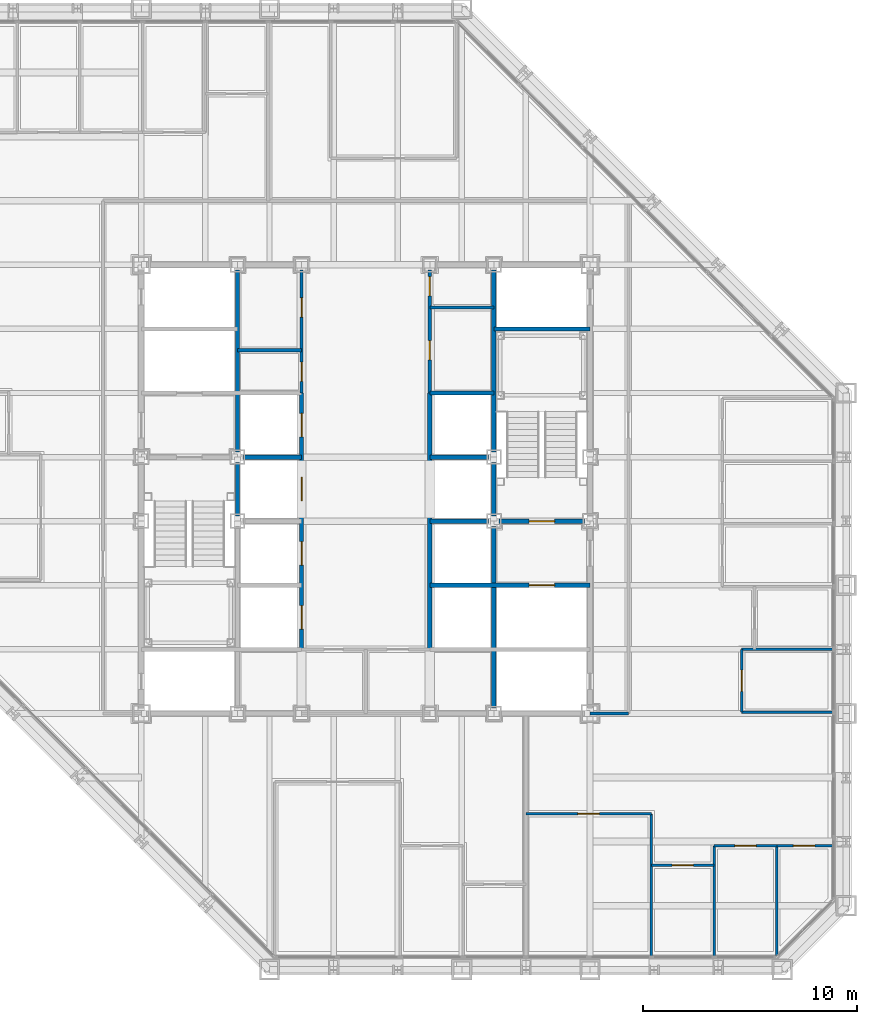
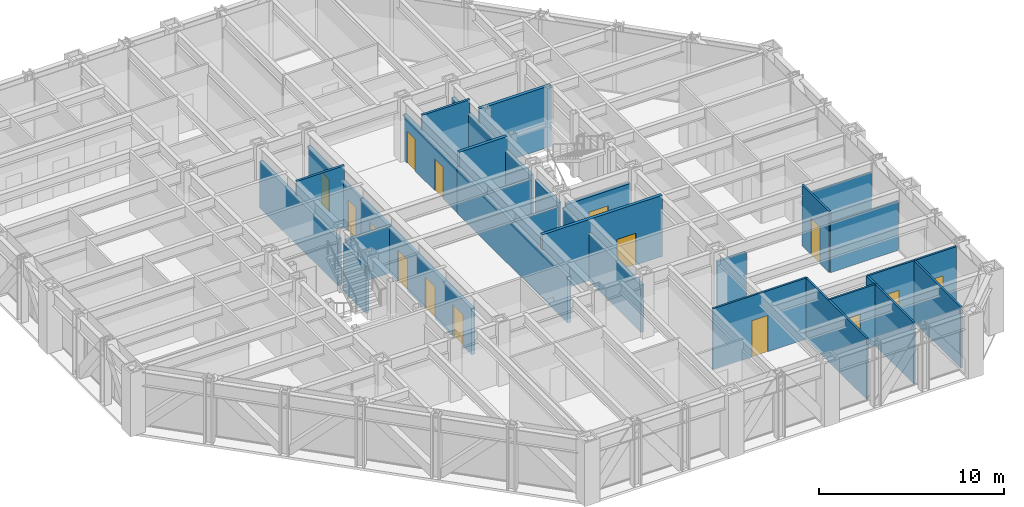
# One storey, part 11 of 16: 29 walls, 15 doors, 15 openings.
"""IFC4 building model written with IfcOpenShell, lengths in metres."""

from ifc_helpers import new_model, si_unit, direction, frame, frame_2d, origin, place, context, subcontext, project, spatial, rectangle, extrude, material, layer, layer_set, type_object, element, fill, save


model = new_model("IFC4")

# Units and contexts
model_context = context("Model", 3, precision=1e-05, world=origin(), true_north=direction((0.0, 1.0)))
body_context = subcontext(model_context, "Body", "Model", "MODEL_VIEW")
ifc_project = project(units=[si_unit("LENGTHUNIT", "METRE"), si_unit("AREAUNIT", "SQUARE_METRE"), si_unit("VOLUMEUNIT", "CUBIC_METRE"), si_unit("PLANEANGLEUNIT", "RADIAN"), si_unit("MASSUNIT", "GRAM", prefix="KILO")], contexts=[model_context])

# Site, building, storey
site_placement = place(None, origin())
site = spatial("IfcSite", under=ifc_project, at=site_placement, CompositionType="ELEMENT")
building_placement = place(site_placement, origin())
building = spatial("IfcBuilding", under=site, at=building_placement, Name="Chuquiago Exchange Tower", CompositionType="ELEMENT")
storey_placement = place(building_placement, frame((0.0, 0.0, 127.800048828125)))
storey = spatial("IfcBuildingStorey", under=building, at=storey_placement, Name="L27", CompositionType="ELEMENT", Elevation=127.800048828125)

# Walls
ifc_material_1 = material(Name="Gypsum board on steel studs, acoustic insulation", Category="steel")
ifc_layer_1 = layer(ifc_material_1, 0.14990234375)
ifc_layer_set_1 = layer_set([ifc_layer_1], Name="W11 corridor wall 150")
wall_type_1 = type_object("IfcWallType", Name="W11 corridor wall 150", PredefinedType="PARTITIONING", material=ifc_layer_set_1)
wall_1_placement = place(storey_placement, frame((33.0, 12.0, 0.0), z_axis=(0.0, 0.0, 1.0), x_axis=(1.0, 0.0, 0.0)))
element("IfcWall", 1, at=wall_1_placement, inside=storey, type_object=wall_type_1, Name="PW-L27-CES", PredefinedType="PARTITIONING", context=body_context, shape_type="SweptSolid", body=[
    extrude(rectangle(XDim=1.800048828125, YDim=0.14990234375, at=frame_2d((0.89990234375, 0.0))), origin(), (0.0, 0.0, 1.0), 3.270263671875),
])
ifc_material_2 = material(Name="Concrete masonry, fully grouted", Category="masonry")
ifc_layer_2 = layer(ifc_material_2, 0.199951171875)
ifc_layer_set_2 = layer_set([ifc_layer_2], Name="W2 shaft wall 200")
wall_type_2 = type_object("IfcWallType", Name="W2 shaft wall 200", PredefinedType="SOLIDWALL", material=ifc_layer_set_2)
for number, where, z_axis, x_axis, name in (
    (2, (16.75, 24.0, 0.0), (0.0, 0.0, 1.0), (1.0, 0.0, 0.0), "CW-L27-05-1"),
    (3, (25.5, 24.0, 0.0), (0.0, 0.0, 1.0), (1.0, 0.0, 0.0), "CW-L27-06-0"),
):
    element("IfcWall", number, at=place(storey_placement, frame(where, z_axis=z_axis, x_axis=x_axis)), inside=storey, type_object=wall_type_2, Name=name, PredefinedType="SOLIDWALL", context=body_context, shape_type="SweptSolid", body=[
        extrude(rectangle(XDim=2.75, YDim=0.199951171875, at=frame_2d((1.375, 0.0))), origin(), (0.0, 0.0, 1.0), 3.08984375),
    ])
wall_2_placement = place(storey_placement, frame((25.5, 27.0, 0.0), z_axis=(0.0, 0.0, 1.0), x_axis=(1.0, 0.0, 0.0)))
element("IfcWall", 4, at=wall_2_placement, inside=storey, type_object=wall_type_2, Name="CW-L27-08-0", PredefinedType="SOLIDWALL", context=body_context, shape_type="SweptSolid", body=[
    extrude(rectangle(XDim=3.0, YDim=0.199951171875, at=frame_2d((1.5, 0.0))), origin(), (0.0, 0.0, 1.0), 4.0400390625),
])
wall_3_placement = place(storey_placement, frame((28.5, 30.0, 0.0), z_axis=(0.0, 0.0, 1.0), x_axis=(1.0, 0.0, 0.0)))
element("IfcWall", 5, at=wall_3_placement, inside=storey, type_object=wall_type_2, Name="CW-L27-10-0", PredefinedType="SOLIDWALL", context=body_context, shape_type="SweptSolid", body=[
    extrude(rectangle(XDim=4.5, YDim=0.199951171875, at=frame_2d((2.25, 0.0))), origin(), (0.0, 0.0, 1.0), 4.0400390625),
])
wall_4_placement = place(storey_placement, frame((16.5, 21.25, 0.0), z_axis=(0.0, 0.0, 1.0), x_axis=(0.0, 1.0, 0.0)))
element("IfcWall", 6, at=wall_4_placement, inside=storey, type_object=wall_type_2, Name="CW-L27-13-1", PredefinedType="SOLIDWALL", context=body_context, shape_type="SweptSolid", body=[
    extrude(rectangle(XDim=2.5, YDim=0.199951171875, at=frame_2d((1.25, 0.0))), origin(), (0.0, 0.0, 1.0), 3.11279296875),
])
wall_5_placement = place(storey_placement, frame((16.5, 24.25, 0.0), z_axis=(0.0, 0.0, 1.0), x_axis=(0.0, 1.0, 0.0)))
element("IfcWall", 7, at=wall_5_placement, inside=storey, type_object=wall_type_2, Name="CW-L27-13-2", PredefinedType="SOLIDWALL", context=body_context, shape_type="SweptSolid", body=[
    extrude(rectangle(XDim=8.5, YDim=0.199951171875, at=frame_2d((4.25, 0.0))), origin(), (0.0, 0.0, 1.0), 3.11279296875),
])

# Wall, opening, door
wall_6_placement = place(storey_placement, frame((25.5, 18.0, 0.0), z_axis=(0.0, 0.0, 1.0), x_axis=(1.0, 0.0, 0.0)))
wall_6 = element("IfcWall", 8, at=wall_6_placement, inside=storey, type_object=wall_type_2, Name="CW-L27-15-0", PredefinedType="SOLIDWALL", context=body_context, shape_type="SweptSolid", body=[
    extrude(rectangle(XDim=7.5, YDim=0.199951171875, at=frame_2d((3.75, 0.0))), origin(), (0.0, 0.0, 1.0), 4.0400390625),
])
opening_1_placement = place(wall_6_placement, frame((4.64990234375, 0.0, 0.0)))
opening_1 = element("IfcOpeningElement", 9, at=opening_1_placement, cuts=wall_6, Name="Opening L27-006", PredefinedType="OPENING", context=body_context, shape_type="SweptSolid", body=[
    extrude(rectangle(XDim=1.199951171875, YDim=2.10009765625, at=frame_2d((0.60009765625, 1.050048828125))), frame((0.0, 0.10986328125, 0.0), z_axis=(0.0, -1.0, 0.0), x_axis=(1.0, 0.0, 0.0)), (0.0, 0.0, 1.0), 0.219970703125),
])
ifc_material_3 = material(Name="Stainless steel lift landing door", Category="steel")
door_type_1 = type_object("IfcDoorType", Name="LD2 firefighting lift landing door 1200x2100", OperationType="DOUBLE_DOOR_SLIDING", PredefinedType="DOOR", material=ifc_material_3)
door_1_placement = place(opening_1_placement, origin())
door_1 = element("IfcDoor", 10, at=door_1_placement, inside=storey, type_object=door_type_1, Name="Firefighting lift FL2 landing door", OperationType="DOUBLE_DOOR_SLIDING", OverallHeight=2.10009765625, OverallWidth=1.199951171875, PredefinedType="DOOR", context=body_context, shape_type="SweptSolid", body=[
    extrude(rectangle(XDim=1.199951171875, YDim=2.10009765625, at=frame_2d((0.60009765625, 1.050048828125))), frame((0.0, 0.02490234375, 0.0), z_axis=(0.0, -1.0, 0.0), x_axis=(1.0, 0.0, 0.0)), (0.0, 0.0, 1.0), 0.050048828125),
])
fill(opening_1, door_1)

# Wall
wall_7_placement = place(storey_placement, frame((25.5, 21.0, 0.0), z_axis=(0.0, 0.0, 1.0), x_axis=(1.0, 0.0, 0.0)))
element("IfcWall", 11, at=wall_7_placement, inside=storey, type_object=wall_type_2, Name="CW-L27-17-0", PredefinedType="SOLIDWALL", context=body_context, shape_type="SweptSolid", body=[
    extrude(rectangle(XDim=2.75, YDim=0.199951171875, at=frame_2d((1.375, 0.0))), origin(), (0.0, 0.0, 1.0), 3.08984375),
])

# Wall, opening, door
wall_8_placement = place(storey_placement, frame((28.75, 21.0, 0.0), z_axis=(0.0, 0.0, 1.0), x_axis=(1.0, 0.0, 0.0)))
wall_8 = element("IfcWall", 12, at=wall_8_placement, inside=storey, type_object=wall_type_2, Name="CW-L27-17-1", PredefinedType="SOLIDWALL", context=body_context, shape_type="SweptSolid", body=[
    extrude(rectangle(XDim=4.0, YDim=0.199951171875, at=frame_2d((2.0, 0.0))), origin(), (0.0, 0.0, 1.0), 3.08984375),
])
opening_2_placement = place(wall_8_placement, frame((1.39990234375, 0.0, 0.0)))
opening_2 = element("IfcOpeningElement", 13, at=opening_2_placement, cuts=wall_8, Name="Opening L27-003", PredefinedType="OPENING", context=body_context, shape_type="SweptSolid", body=[
    extrude(rectangle(XDim=1.199951171875, YDim=2.10009765625, at=frame_2d((0.60009765625, 1.050048828125))), frame((0.0, 0.10986328125, 0.0), z_axis=(0.0, -1.0, 0.0), x_axis=(1.0, 0.0, 0.0)), (0.0, 0.0, 1.0), 0.219970703125),
])
ifc_material_4 = material(Name="Steel door, painted", Category="steel")
door_type_2 = type_object("IfcDoorType", Name="D4 stair door 1200x2100", OperationType="SINGLE_SWING_LEFT", PredefinedType="DOOR", material=ifc_material_4)
door_2_placement = place(opening_2_placement, origin())
door_2 = element("IfcDoor", 14, at=door_2_placement, inside=storey, type_object=door_type_2, Name="Stair ST2 door", OperationType="SINGLE_SWING_LEFT", OverallHeight=2.10009765625, OverallWidth=1.199951171875, PredefinedType="DOOR", context=body_context, shape_type="SweptSolid", body=[
    extrude(rectangle(XDim=1.199951171875, YDim=2.10009765625, at=frame_2d((0.60009765625, 1.050048828125))), frame((0.0, 0.02490234375, 0.0), z_axis=(0.0, -1.0, 0.0), x_axis=(1.0, 0.0, 0.0)), (0.0, 0.0, 1.0), 0.050048828125),
])
fill(opening_2, door_2)

# Wall, openings, doors
wall_9_placement = place(storey_placement, frame((19.5, 15.0, 0.0), z_axis=(0.0, 0.0, 1.0), x_axis=(0.0, 1.0, 0.0)))
wall_9 = element("IfcWall", 15, at=wall_9_placement, inside=storey, type_object=wall_type_2, Name="CW-L27-19-0", PredefinedType="SOLIDWALL", context=body_context, shape_type="SweptSolid", body=[
    extrude(rectangle(XDim=12.0, YDim=0.199951171875, at=frame_2d((6.0, 0.0))), origin(), (0.0, 0.0, 1.0), 3.064453125),
])
opening_3_placement = place(wall_9_placement, frame((0.949951171875, 0.0, 0.0)))
opening_3 = element("IfcOpeningElement", 16, at=opening_3_placement, cuts=wall_9, Name="Opening L27-017", PredefinedType="OPENING", context=body_context, shape_type="SweptSolid", body=[
    extrude(rectangle(XDim=1.10009765625, YDim=2.10009765625, at=frame_2d((0.550048828125, 1.050048828125))), frame((0.0, 0.10986328125, 0.0), z_axis=(0.0, -1.0, 0.0), x_axis=(1.0, 0.0, 0.0)), (0.0, 0.0, 1.0), 0.219970703125),
])
opening_4_placement = place(wall_9_placement, frame((3.949951171875, 0.0, 0.0)))
opening_4 = element("IfcOpeningElement", 17, at=opening_4_placement, cuts=wall_9, Name="Opening L27-018", PredefinedType="OPENING", context=body_context, shape_type="SweptSolid", body=[
    extrude(rectangle(XDim=1.10009765625, YDim=2.10009765625, at=frame_2d((0.550048828125, 1.050048828125))), frame((0.0, 0.10986328125, 0.0), z_axis=(0.0, -1.0, 0.0), x_axis=(1.0, 0.0, 0.0)), (0.0, 0.0, 1.0), 0.219970703125),
])
opening_5_placement = place(wall_9_placement, frame((6.949951171875, 0.0, 0.0)))
opening_5 = element("IfcOpeningElement", 18, at=opening_5_placement, cuts=wall_9, Name="Opening L27-019", PredefinedType="OPENING", context=body_context, shape_type="SweptSolid", body=[
    extrude(rectangle(XDim=1.10009765625, YDim=2.10009765625, at=frame_2d((0.550048828125, 1.050048828125))), frame((0.0, 0.10986328125, 0.0), z_axis=(0.0, -1.0, 0.0), x_axis=(1.0, 0.0, 0.0)), (0.0, 0.0, 1.0), 0.219970703125),
])
opening_6_placement = place(wall_9_placement, frame((9.949951171875, 0.0, 0.0)))
opening_6 = element("IfcOpeningElement", 19, at=opening_6_placement, cuts=wall_9, Name="Opening L27-020", PredefinedType="OPENING", context=body_context, shape_type="SweptSolid", body=[
    extrude(rectangle(XDim=1.10009765625, YDim=2.10009765625, at=frame_2d((0.550048828125, 1.050048828125))), frame((0.0, 0.10986328125, 0.0), z_axis=(0.0, -1.0, 0.0), x_axis=(1.0, 0.0, 0.0)), (0.0, 0.0, 1.0), 0.219970703125),
])
ifc_material_5 = material(Name="Stainless steel lift landing door", Category="steel")
door_type_3 = type_object("IfcDoorType", Name="LD1 lift landing door 1100x2100", OperationType="DOUBLE_DOOR_SLIDING", PredefinedType="DOOR", material=ifc_material_5)
door_3_placement = place(opening_3_placement, origin())
door_3 = element("IfcDoor", 20, at=door_3_placement, inside=storey, type_object=door_type_3, Name="Lift LB1 landing door", OperationType="DOUBLE_DOOR_SLIDING", OverallHeight=2.10009765625, OverallWidth=1.10009765625, PredefinedType="DOOR", context=body_context, shape_type="SweptSolid", body=[
    extrude(rectangle(XDim=1.10009765625, YDim=2.10009765625, at=frame_2d((0.550048828125, 1.050048828125))), frame((0.0, 0.02490234375, 0.0), z_axis=(0.0, -1.0, 0.0), x_axis=(1.0, 0.0, 0.0)), (0.0, 0.0, 1.0), 0.050048828125),
])
fill(opening_3, door_3)
door_4_placement = place(opening_4_placement, origin())
door_4 = element("IfcDoor", 21, at=door_4_placement, inside=storey, type_object=door_type_3, Name="Lift LB2 landing door", OperationType="DOUBLE_DOOR_SLIDING", OverallHeight=2.10009765625, OverallWidth=1.10009765625, PredefinedType="DOOR", context=body_context, shape_type="SweptSolid", body=[
    extrude(rectangle(XDim=1.10009765625, YDim=2.10009765625, at=frame_2d((0.550048828125, 1.050048828125))), frame((0.0, 0.02490234375, 0.0), z_axis=(0.0, -1.0, 0.0), x_axis=(1.0, 0.0, 0.0)), (0.0, 0.0, 1.0), 0.050048828125),
])
fill(opening_4, door_4)
door_5_placement = place(opening_5_placement, origin())
door_5 = element("IfcDoor", 22, at=door_5_placement, inside=storey, type_object=door_type_3, Name="Lift LB3 landing door", OperationType="DOUBLE_DOOR_SLIDING", OverallHeight=2.10009765625, OverallWidth=1.10009765625, PredefinedType="DOOR", context=body_context, shape_type="SweptSolid", body=[
    extrude(rectangle(XDim=1.10009765625, YDim=2.10009765625, at=frame_2d((0.550048828125, 1.050048828125))), frame((0.0, 0.02490234375, 0.0), z_axis=(0.0, -1.0, 0.0), x_axis=(1.0, 0.0, 0.0)), (0.0, 0.0, 1.0), 0.050048828125),
])
fill(opening_5, door_5)
door_6_placement = place(opening_6_placement, origin())
door_6 = element("IfcDoor", 23, at=door_6_placement, inside=storey, type_object=door_type_3, Name="Lift LB4 landing door", OperationType="DOUBLE_DOOR_SLIDING", OverallHeight=2.10009765625, OverallWidth=1.10009765625, PredefinedType="DOOR", context=body_context, shape_type="SweptSolid", body=[
    extrude(rectangle(XDim=1.10009765625, YDim=2.10009765625, at=frame_2d((0.550048828125, 1.050048828125))), frame((0.0, 0.02490234375, 0.0), z_axis=(0.0, -1.0, 0.0), x_axis=(1.0, 0.0, 0.0)), (0.0, 0.0, 1.0), 0.050048828125),
])
fill(opening_6, door_6)

# Walls
wall_10_placement = place(storey_placement, frame((25.5, 15.0, 0.0), z_axis=(0.0, 0.0, 1.0), x_axis=(0.0, 1.0, 0.0)))
element("IfcWall", 24, at=wall_10_placement, inside=storey, type_object=wall_type_2, Name="CW-L27-22-0", PredefinedType="SOLIDWALL", context=body_context, shape_type="SweptSolid", body=[
    extrude(rectangle(XDim=12.0, YDim=0.199951171875, at=frame_2d((6.0, 0.0))), origin(), (0.0, 0.0, 1.0), 3.064453125),
])
wall_11_placement = place(storey_placement, frame((28.5, 12.25, 0.0), z_axis=(0.0, 0.0, 1.0), x_axis=(0.0, 1.0, 0.0)))
element("IfcWall", 25, at=wall_11_placement, inside=storey, type_object=wall_type_2, Name="CW-L27-24-0", PredefinedType="SOLIDWALL", context=body_context, shape_type="SweptSolid", body=[
    extrude(rectangle(XDim=8.5, YDim=0.199951171875, at=frame_2d((4.25, 0.0))), origin(), (0.0, 0.0, 1.0), 3.11279296875),
])
wall_12_placement = place(storey_placement, frame((28.5, 21.25, 0.0), z_axis=(0.0, 0.0, 1.0), x_axis=(0.0, 1.0, 0.0)))
element("IfcWall", 26, at=wall_12_placement, inside=storey, type_object=wall_type_2, Name="CW-L27-24-1", PredefinedType="SOLIDWALL", context=body_context, shape_type="SweptSolid", body=[
    extrude(rectangle(XDim=2.5, YDim=0.199951171875, at=frame_2d((1.25, 0.0))), origin(), (0.0, 0.0, 1.0), 3.11279296875),
])
wall_13_placement = place(storey_placement, frame((28.5, 24.25, 0.0), z_axis=(0.0, 0.0, 1.0), x_axis=(0.0, 1.0, 0.0)))
element("IfcWall", 27, at=wall_13_placement, inside=storey, type_object=wall_type_2, Name="CW-L27-24-2", PredefinedType="SOLIDWALL", context=body_context, shape_type="SweptSolid", body=[
    extrude(rectangle(XDim=8.5, YDim=0.199951171875, at=frame_2d((4.25, 0.0))), origin(), (0.0, 0.0, 1.0), 3.11279296875),
])

# Wall, openings, doors
ifc_material_6 = material(Name="Gypsum board on steel studs", Category="steel")
ifc_layer_3 = layer(ifc_material_6, 0.14990234375)
ifc_layer_set_3 = layer_set([ifc_layer_3], Name="W3 core partition 150")
wall_type_3 = type_object("IfcWallType", Name="W3 core partition 150", PredefinedType="PARTITIONING", material=ifc_layer_set_3)
wall_14_placement = place(storey_placement, frame((19.5, 27.0, 0.0), z_axis=(0.0, 0.0, 1.0), x_axis=(0.0, 1.0, 0.0)))
wall_14 = element("IfcWall", 28, at=wall_14_placement, inside=storey, type_object=wall_type_3, Name="CW-L27-20-0", PredefinedType="PARTITIONING", context=body_context, shape_type="SweptSolid", body=[
    extrude(rectangle(XDim=5.75, YDim=0.14990234375, at=frame_2d((2.875, 0.0))), origin(), (0.0, 0.0, 1.0), 3.064453125),
])
opening_7_placement = place(wall_14_placement, frame((0.550048828125, 0.0, 0.0)))
opening_7 = element("IfcOpeningElement", 29, at=opening_7_placement, cuts=wall_14, Name="Opening L27-011", PredefinedType="OPENING", context=body_context, shape_type="SweptSolid", body=[
    extrude(rectangle(XDim=0.89990234375, YDim=2.10009765625, at=frame_2d((0.449951171875, 1.050048828125))), frame((0.0, 0.0849609375, 0.0), z_axis=(0.0, -1.0, 0.0), x_axis=(1.0, 0.0, 0.0)), (0.0, 0.0, 1.0), 0.169921875),
])
opening_8_placement = place(wall_14_placement, frame((3.550048828125, 0.0, 0.0)))
opening_8 = element("IfcOpeningElement", 30, at=opening_8_placement, cuts=wall_14, Name="Opening L27-012", PredefinedType="OPENING", context=body_context, shape_type="SweptSolid", body=[
    extrude(rectangle(XDim=0.89990234375, YDim=2.10009765625, at=frame_2d((0.449951171875, 1.050048828125))), frame((0.0, 0.0849609375, 0.0), z_axis=(0.0, -1.0, 0.0), x_axis=(1.0, 0.0, 0.0)), (0.0, 0.0, 1.0), 0.169921875),
])
ifc_material_7 = material(Name="Timber door, laminate faced", Category="wood")
door_type_4 = type_object("IfcDoorType", Name="D16 core room door 900x2100", OperationType="SINGLE_SWING_LEFT", PredefinedType="DOOR", material=ifc_material_7)
door_7_placement = place(opening_7_placement, origin())
door_7 = element("IfcDoor", 31, at=door_7_placement, inside=storey, type_object=door_type_4, Name="First aid room door", OperationType="SINGLE_SWING_LEFT", OverallHeight=2.10009765625, OverallWidth=0.89990234375, PredefinedType="DOOR", context=body_context, shape_type="SweptSolid", body=[
    extrude(rectangle(XDim=0.89990234375, YDim=2.10009765625, at=frame_2d((0.449951171875, 1.050048828125))), frame((0.0, 0.02490234375, 0.0), z_axis=(0.0, -1.0, 0.0), x_axis=(1.0, 0.0, 0.0)), (0.0, 0.0, 1.0), 0.050048828125),
])
fill(opening_7, door_7)
ifc_material_8 = material(Name="Timber door, laminate faced", Category="wood")
door_type_5 = type_object("IfcDoorType", Name="D7 toilet door 900x2100", OperationType="SINGLE_SWING_LEFT", PredefinedType="DOOR", material=ifc_material_8)
door_8_placement = place(opening_8_placement, origin())
door_8 = element("IfcDoor", 32, at=door_8_placement, inside=storey, type_object=door_type_5, Name="Male WC door", OperationType="SINGLE_SWING_RIGHT", OverallHeight=2.10009765625, OverallWidth=0.89990234375, PredefinedType="DOOR", context=body_context, shape_type="SweptSolid", body=[
    extrude(rectangle(XDim=0.89990234375, YDim=2.10009765625, at=frame_2d((0.449951171875, 1.050048828125))), frame((0.0, 0.02490234375, 0.0), z_axis=(0.0, -1.0, 0.0), x_axis=(1.0, 0.0, 0.0)), (0.0, 0.0, 1.0), 0.050048828125),
])
fill(opening_8, door_8)

wall_15_placement = place(storey_placement, frame((25.5, 27.0, 0.0), z_axis=(0.0, 0.0, 1.0), x_axis=(0.0, 1.0, 0.0)))
wall_15 = element("IfcWall", 33, at=wall_15_placement, inside=storey, type_object=wall_type_3, Name="CW-L27-23-0", PredefinedType="PARTITIONING", context=body_context, shape_type="SweptSolid", body=[
    extrude(rectangle(XDim=5.75, YDim=0.14990234375, at=frame_2d((2.875, 0.0))), origin(), (0.0, 0.0, 1.0), 3.064453125),
])
opening_9_placement = place(wall_15_placement, frame((1.550048828125, 0.0, 0.0)))
opening_9 = element("IfcOpeningElement", 34, at=opening_9_placement, cuts=wall_15, Name="Opening L27-013", PredefinedType="OPENING", context=body_context, shape_type="SweptSolid", body=[
    extrude(rectangle(XDim=0.89990234375, YDim=2.10009765625, at=frame_2d((0.449951171875, 1.050048828125))), frame((0.0, 0.0849609375, 0.0), z_axis=(0.0, -1.0, 0.0), x_axis=(1.0, 0.0, 0.0)), (0.0, 0.0, 1.0), 0.169921875),
])
opening_10_placement = place(wall_15_placement, frame((4.550048828125, 0.0, 0.0)))
opening_10 = element("IfcOpeningElement", 35, at=opening_10_placement, cuts=wall_15, Name="Opening L27-014", PredefinedType="OPENING", context=body_context, shape_type="SweptSolid", body=[
    extrude(rectangle(XDim=0.89990234375, YDim=2.10009765625, at=frame_2d((0.449951171875, 1.050048828125))), frame((0.0, 0.0849609375, 0.0), z_axis=(0.0, -1.0, 0.0), x_axis=(1.0, 0.0, 0.0)), (0.0, 0.0, 1.0), 0.169921875),
])
door_9_placement = place(opening_10_placement, frame((0.89990234375, 0.0, 0.0), z_axis=(0.0, 0.0, 1.0), x_axis=(-1.0, 0.0, 0.0)))
door_9 = element("IfcDoor", 36, at=door_9_placement, inside=storey, type_object=door_type_4, Name="Staff shower room door", OperationType="SINGLE_SWING_LEFT", OverallHeight=2.10009765625, OverallWidth=0.89990234375, PredefinedType="DOOR", context=body_context, shape_type="SweptSolid", body=[
    extrude(rectangle(XDim=0.89990234375, YDim=2.10009765625, at=frame_2d((0.449951171875, 1.050048828125))), frame((0.0, 0.02490234375, 0.0), z_axis=(0.0, -1.0, 0.0), x_axis=(1.0, 0.0, 0.0)), (0.0, 0.0, 1.0), 0.050048828125),
])
fill(opening_10, door_9)
door_10_placement = place(opening_9_placement, frame((0.89990234375, 0.0, 0.0), z_axis=(0.0, 0.0, 1.0), x_axis=(-1.0, 0.0, 0.0)))
door_10 = element("IfcDoor", 37, at=door_10_placement, inside=storey, type_object=door_type_5, Name="Female WC door", OperationType="SINGLE_SWING_RIGHT", OverallHeight=2.10009765625, OverallWidth=0.89990234375, PredefinedType="DOOR", context=body_context, shape_type="SweptSolid", body=[
    extrude(rectangle(XDim=0.89990234375, YDim=2.10009765625, at=frame_2d((0.449951171875, 1.050048828125))), frame((0.0, 0.02490234375, 0.0), z_axis=(0.0, -1.0, 0.0), x_axis=(1.0, 0.0, 0.0)), (0.0, 0.0, 1.0), 0.050048828125),
])
fill(opening_9, door_10)

# Walls
for number, where, z_axis, x_axis, name in (
    (38, (16.5, 29.0, 0.0), (0.0, 0.0, 1.0), (1.0, 0.0, 0.0), "CW-L27-WCMS"),
    (39, (25.5, 31.0, 0.0), (0.0, 0.0, 1.0), (1.0, 0.0, 0.0), "CW-L27-WCFS"),
):
    element("IfcWall", number, at=place(storey_placement, frame(where, z_axis=z_axis, x_axis=x_axis)), inside=storey, type_object=wall_type_3, Name=name, PredefinedType="PARTITIONING", context=body_context, shape_type="SweptSolid", body=[
        extrude(rectangle(XDim=3.0, YDim=0.14990234375, at=frame_2d((1.5, 0.0))), origin(), (0.0, 0.0, 1.0), 4.0400390625),
    ])
ifc_material_9 = material(Name="Gypsum board on steel studs", Category="steel")
ifc_layer_4 = layer(ifc_material_9, 0.1201171875)
ifc_layer_set_4 = layer_set([ifc_layer_4], Name="W4 partition 120")
wall_type_4 = type_object("IfcWallType", Name="W4 partition 120", PredefinedType="PARTITIONING", material=ifc_layer_set_4)
wall_16_placement = place(storey_placement, frame((35.875732421875, 0.652587890625, 0.0), z_axis=(0.0, 0.0, 1.0), x_axis=(0.0, 1.0, 0.0)))
element("IfcWall", 40, at=wall_16_placement, inside=storey, type_object=wall_type_4, Name="PW-L27-S03588", PredefinedType="PARTITIONING", context=body_context, shape_type="SweptSolid", body=[
    extrude(rectangle(XDim=6.6474609375, YDim=0.1201171875, at=frame_2d((3.32373046875, 0.0))), origin(), (0.0, 0.0, 1.0), 4.0400390625),
])
wall_17_placement = place(storey_placement, frame((38.813720703125, 0.652587890625, 0.0), z_axis=(0.0, 0.0, 1.0), x_axis=(0.0, 1.0, 0.0)))
element("IfcWall", 41, at=wall_17_placement, inside=storey, type_object=wall_type_4, Name="PW-L27-S03881", PredefinedType="PARTITIONING", context=body_context, shape_type="SweptSolid", body=[
    extrude(rectangle(XDim=5.1474609375, YDim=0.1201171875, at=frame_2d((2.57373046875, 0.0))), origin(), (0.0, 0.0, 1.0), 4.0400390625),
])
wall_18_placement = place(storey_placement, frame((41.75146484375, 0.666015625, 0.0), z_axis=(0.0, 0.0, 1.0), x_axis=(0.0, 1.0, 0.0)))
element("IfcWall", 42, at=wall_18_placement, inside=storey, type_object=wall_type_4, Name="PW-L27-S04175", PredefinedType="PARTITIONING", context=body_context, shape_type="SweptSolid", body=[
    extrude(rectangle(XDim=5.134033203125, YDim=0.1201171875, at=frame_2d((2.56689453125, 0.0))), origin(), (0.0, 0.0, 1.0), 4.0400390625),
])

# Wall, opening, door
wall_19_placement = place(storey_placement, frame((30.0, 7.300048828125, 0.0), z_axis=(0.0, 0.0, 1.0), x_axis=(1.0, 0.0, 0.0)))
wall_19 = element("IfcWall", 43, at=wall_19_placement, inside=storey, type_object=wall_type_4, Name="PW-L27-SF03000", PredefinedType="PARTITIONING", context=body_context, shape_type="SweptSolid", body=[
    extrude(rectangle(XDim=5.875732421875, YDim=0.1201171875, at=frame_2d((2.93798828125, 0.0))), origin(), (0.0, 0.0, 1.0), 4.0400390625),
])
opening_11_placement = place(wall_19_placement, frame((2.43798828125, 0.0, 0.0)))
opening_11 = element("IfcOpeningElement", 44, at=opening_11_placement, cuts=wall_19, Name="Opening L27-024", PredefinedType="OPENING", context=body_context, shape_type="SweptSolid", body=[
    extrude(rectangle(XDim=1.0, YDim=2.39990234375, at=frame_2d((0.5, 1.199951171875))), frame((0.0, 0.070068359375, 0.0), z_axis=(0.0, -1.0, 0.0), x_axis=(1.0, 0.0, 0.0)), (0.0, 0.0, 1.0), 0.14013671875),
])
ifc_material_10 = material(Name="Timber door, laminate faced", Category="wood")
door_type_6 = type_object("IfcDoorType", Name="D9 room door 1000x2400", OperationType="SINGLE_SWING_LEFT", PredefinedType="DOOR", material=ifc_material_10)
door_11_placement = place(opening_11_placement, frame((1.0, 0.0, 0.0), z_axis=(0.0, 0.0, 1.0), x_axis=(-1.0, 0.0, 0.0)))
door_11 = element("IfcDoor", 45, at=door_11_placement, inside=storey, type_object=door_type_6, Name="Market data room door", OperationType="SINGLE_SWING_RIGHT", OverallHeight=2.39990234375, OverallWidth=1.0, PredefinedType="DOOR", context=body_context, shape_type="SweptSolid", body=[
    extrude(rectangle(XDim=1.0, YDim=2.39990234375, at=frame_2d((0.5, 1.199951171875))), frame((0.0, 0.02490234375, 0.0), z_axis=(0.0, -1.0, 0.0), x_axis=(1.0, 0.0, 0.0)), (0.0, 0.0, 1.0), 0.050048828125),
])
fill(opening_11, door_11)

wall_20_placement = place(storey_placement, frame((35.875732421875, 4.89990234375, 0.0), z_axis=(0.0, 0.0, 1.0), x_axis=(1.0, 0.0, 0.0)))
wall_20 = element("IfcWall", 46, at=wall_20_placement, inside=storey, type_object=wall_type_4, Name="PW-L27-SF03588", PredefinedType="PARTITIONING", context=body_context, shape_type="SweptSolid", body=[
    extrude(rectangle(XDim=2.93798828125, YDim=0.1201171875, at=frame_2d((1.468994140625, 0.0))), origin(), (0.0, 0.0, 1.0), 4.0400390625),
])
opening_12_placement = place(wall_20_placement, frame((0.968994140625, 0.0, 0.0)))
opening_12 = element("IfcOpeningElement", 47, at=opening_12_placement, cuts=wall_20, Name="Opening L27-025", PredefinedType="OPENING", context=body_context, shape_type="SweptSolid", body=[
    extrude(rectangle(XDim=1.0, YDim=2.39990234375, at=frame_2d((0.5, 1.199951171875))), frame((0.0, 0.070068359375, 0.0), z_axis=(0.0, -1.0, 0.0), x_axis=(1.0, 0.0, 0.0)), (0.0, 0.0, 1.0), 0.14013671875),
])
door_12_placement = place(opening_12_placement, frame((1.0, 0.0, 0.0), z_axis=(0.0, 0.0, 1.0), x_axis=(-1.0, 0.0, 0.0)))
door_12 = element("IfcDoor", 48, at=door_12_placement, inside=storey, type_object=door_type_6, Name="Comms room door", OperationType="SINGLE_SWING_RIGHT", OverallHeight=2.39990234375, OverallWidth=1.0, PredefinedType="DOOR", context=body_context, shape_type="SweptSolid", body=[
    extrude(rectangle(XDim=1.0, YDim=2.39990234375, at=frame_2d((0.5, 1.199951171875))), frame((0.0, 0.02490234375, 0.0), z_axis=(0.0, -1.0, 0.0), x_axis=(1.0, 0.0, 0.0)), (0.0, 0.0, 1.0), 0.050048828125),
])
fill(opening_12, door_12)

wall_21_placement = place(storey_placement, frame((38.813720703125, 5.800048828125, 0.0), z_axis=(0.0, 0.0, 1.0), x_axis=(1.0, 0.0, 0.0)))
wall_21 = element("IfcWall", 49, at=wall_21_placement, inside=storey, type_object=wall_type_4, Name="PW-L27-SF03881", PredefinedType="PARTITIONING", context=body_context, shape_type="SweptSolid", body=[
    extrude(rectangle(XDim=2.937744140625, YDim=0.1201171875, at=frame_2d((1.46875, 0.0))), origin(), (0.0, 0.0, 1.0), 4.0400390625),
])
opening_13_placement = place(wall_21_placement, frame((0.968994140625, 0.0, 0.0)))
opening_13 = element("IfcOpeningElement", 50, at=opening_13_placement, cuts=wall_21, Name="Opening L27-026", PredefinedType="OPENING", context=body_context, shape_type="SweptSolid", body=[
    extrude(rectangle(XDim=1.0, YDim=2.39990234375, at=frame_2d((0.5, 1.199951171875))), frame((0.0, 0.070068359375, 0.0), z_axis=(0.0, -1.0, 0.0), x_axis=(1.0, 0.0, 0.0)), (0.0, 0.0, 1.0), 0.14013671875),
])
door_13_placement = place(opening_13_placement, frame((1.0, 0.0, 0.0), z_axis=(0.0, 0.0, 1.0), x_axis=(-1.0, 0.0, 0.0)))
door_13 = element("IfcDoor", 51, at=door_13_placement, inside=storey, type_object=door_type_6, Name="Office door", OperationType="SINGLE_SWING_RIGHT", OverallHeight=2.39990234375, OverallWidth=1.0, PredefinedType="DOOR", context=body_context, shape_type="SweptSolid", body=[
    extrude(rectangle(XDim=1.0, YDim=2.39990234375, at=frame_2d((0.5, 1.199951171875))), frame((0.0, 0.02490234375, 0.0), z_axis=(0.0, -1.0, 0.0), x_axis=(1.0, 0.0, 0.0)), (0.0, 0.0, 1.0), 0.050048828125),
])
fill(opening_13, door_13)

wall_22_placement = place(storey_placement, frame((41.75146484375, 5.800048828125, 0.0), z_axis=(0.0, 0.0, 1.0), x_axis=(1.0, 0.0, 0.0)))
wall_22 = element("IfcWall", 52, at=wall_22_placement, inside=storey, type_object=wall_type_4, Name="PW-L27-SF04175", PredefinedType="PARTITIONING", context=body_context, shape_type="SweptSolid", body=[
    extrude(rectangle(XDim=2.616455078125, YDim=0.1201171875, at=frame_2d((1.30810546875, 0.0))), origin(), (0.0, 0.0, 1.0), 4.0400390625),
])
opening_14_placement = place(wall_22_placement, frame((0.774169921875, 0.0, 0.0)))
opening_14 = element("IfcOpeningElement", 53, at=opening_14_placement, cuts=wall_22, Name="Opening L27-027", PredefinedType="OPENING", context=body_context, shape_type="SweptSolid", body=[
    extrude(rectangle(XDim=1.0, YDim=2.39990234375, at=frame_2d((0.5, 1.199951171875))), frame((0.0, 0.070068359375, 0.0), z_axis=(0.0, -1.0, 0.0), x_axis=(1.0, 0.0, 0.0)), (0.0, 0.0, 1.0), 0.14013671875),
])
door_14_placement = place(opening_14_placement, frame((1.0, 0.0, 0.0), z_axis=(0.0, 0.0, 1.0), x_axis=(-1.0, 0.0, 0.0)))
door_14 = element("IfcDoor", 54, at=door_14_placement, inside=storey, type_object=door_type_6, Name="Office door", OperationType="SINGLE_SWING_RIGHT", OverallHeight=2.39990234375, OverallWidth=1.0, PredefinedType="DOOR", context=body_context, shape_type="SweptSolid", body=[
    extrude(rectangle(XDim=1.0, YDim=2.39990234375, at=frame_2d((0.5, 1.199951171875))), frame((0.0, 0.02490234375, 0.0), z_axis=(0.0, -1.0, 0.0), x_axis=(1.0, 0.0, 0.0)), (0.0, 0.0, 1.0), 0.050048828125),
])
fill(opening_14, door_14)

# Walls
wall_23_placement = place(storey_placement, frame((44.347412109375, 12.06201171875, 0.0), z_axis=(0.0, 0.0, 1.0), x_axis=(-1.0, 0.0, 0.0)))
element("IfcWall", 55, at=wall_23_placement, inside=storey, type_object=wall_type_4, Name="PW-L27-E01206", PredefinedType="PARTITIONING", context=body_context, shape_type="SweptSolid", body=[
    extrude(rectangle(XDim=4.247314453125, YDim=0.1201171875, at=frame_2d((2.12353515625, 0.0))), origin(), (0.0, 0.0, 1.0), 3.270263671875),
])
wall_24_placement = place(storey_placement, frame((44.347412109375, 15.0, 0.0), z_axis=(0.0, 0.0, 1.0), x_axis=(-1.0, 0.0, 0.0)))
element("IfcWall", 56, at=wall_24_placement, inside=storey, type_object=wall_type_4, Name="PW-L27-E01500", PredefinedType="PARTITIONING", context=body_context, shape_type="SweptSolid", body=[
    extrude(rectangle(XDim=4.247314453125, YDim=0.1201171875, at=frame_2d((2.12353515625, 0.0))), origin(), (0.0, 0.0, 1.0), 3.356689453125),
])

# Wall, opening, door
wall_25_placement = place(storey_placement, frame((40.10009765625, 12.06201171875, 0.0), z_axis=(0.0, 0.0, 1.0), x_axis=(0.0, 1.0, 0.0)))
wall_25 = element("IfcWall", 57, at=wall_25_placement, inside=storey, type_object=wall_type_4, Name="PW-L27-EF01206", PredefinedType="PARTITIONING", context=body_context, shape_type="SweptSolid", body=[
    extrude(rectangle(XDim=2.93798828125, YDim=0.1201171875, at=frame_2d((1.468994140625, 0.0))), origin(), (0.0, 0.0, 1.0), 4.0400390625),
])
opening_15_placement = place(wall_25_placement, frame((0.968994140625, 0.0, 0.0)))
opening_15 = element("IfcOpeningElement", 58, at=opening_15_placement, cuts=wall_25, Name="Opening L27-028", PredefinedType="OPENING", context=body_context, shape_type="SweptSolid", body=[
    extrude(rectangle(XDim=1.0, YDim=2.39990234375, at=frame_2d((0.5, 1.199951171875))), frame((0.0, 0.070068359375, 0.0), z_axis=(0.0, -1.0, 0.0), x_axis=(1.0, 0.0, 0.0)), (0.0, 0.0, 1.0), 0.14013671875),
])
door_15_placement = place(opening_15_placement, frame((1.0, 0.0, 0.0), z_axis=(0.0, 0.0, 1.0), x_axis=(-1.0, 0.0, 0.0)))
door_15 = element("IfcDoor", 59, at=door_15_placement, inside=storey, type_object=door_type_6, Name="Comms room door", OperationType="SINGLE_SWING_LEFT", OverallHeight=2.39990234375, OverallWidth=1.0, PredefinedType="DOOR", context=body_context, shape_type="SweptSolid", body=[
    extrude(rectangle(XDim=1.0, YDim=2.39990234375, at=frame_2d((0.5, 1.199951171875))), frame((0.0, 0.02490234375, 0.0), z_axis=(0.0, -1.0, 0.0), x_axis=(1.0, 0.0, 0.0)), (0.0, 0.0, 1.0), 0.050048828125),
])
fill(opening_15, door_15)

save(model, "model.ifc")
